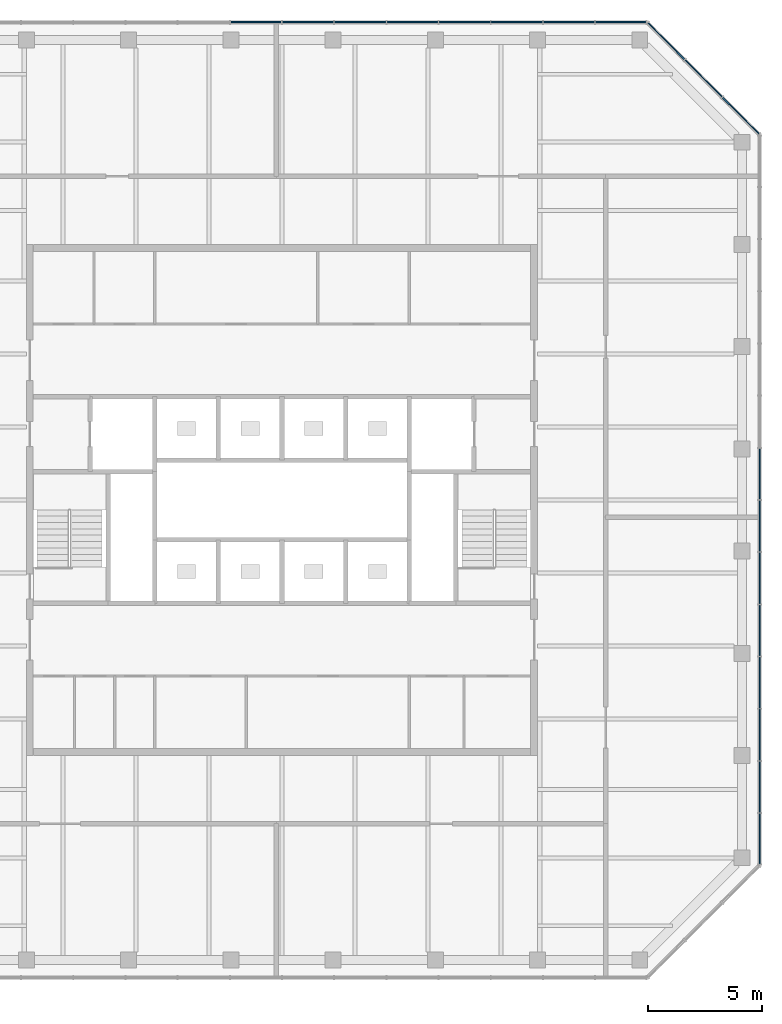
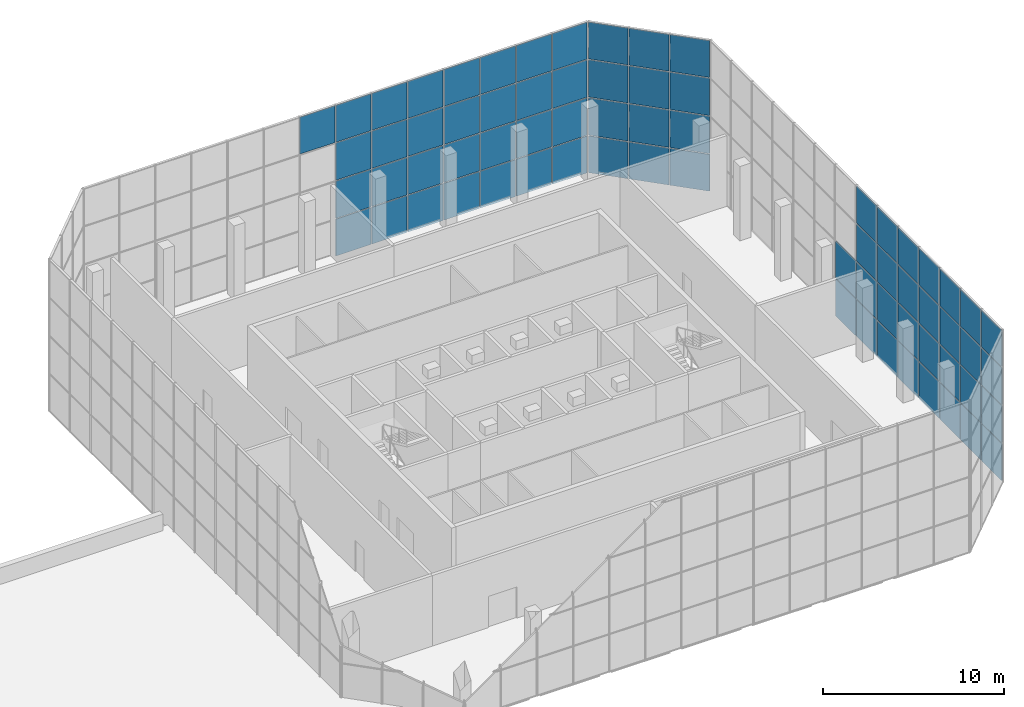
# One storey, part 15 of 19: 71 plates, 3 elements without a shape of their own.
"""IFC4 building model written with IfcOpenShell, lengths in metres."""

from ifc_helpers import new_model, si_unit, direction, frame, origin, origin_2d, place, context, subcontext, project, spatial, rectangle, extrude, material, layer, layer_set, constituent, constituent_set, type_object, element, aggregate, save


model = new_model("IFC4")

# Units and contexts
model_context = context("Model", 3, precision=1e-05, world=origin(), true_north=direction((0.0, 1.0)))
body_context = subcontext(model_context, "Body", "Model", "MODEL_VIEW")
ifc_project = project(units=[si_unit("LENGTHUNIT", "METRE"), si_unit("AREAUNIT", "SQUARE_METRE"), si_unit("VOLUMEUNIT", "CUBIC_METRE"), si_unit("PLANEANGLEUNIT", "RADIAN"), si_unit("MASSUNIT", "GRAM", prefix="KILO")], contexts=[model_context])

# Site, building, storey
site_placement = place(None, origin())
site = spatial("IfcSite", under=ifc_project, at=site_placement, CompositionType="ELEMENT")
building_placement = place(site_placement, origin())
building = spatial("IfcBuilding", under=site, at=building_placement, Name="Quoin Convention Tower", CompositionType="ELEMENT")
storey_placement = place(building_placement, frame((0.0, 0.0, 263.699951171875)))
storey = spatial("IfcBuildingStorey", under=building, at=storey_placement, Name="L69", CompositionType="ELEMENT", Elevation=263.699951171875)

# Curtain wall, plates
ifc_material_1 = material(Name="Aluminium", Category="aluminium")
ifc_constituent_1 = constituent(ifc_material_1, Name="Frame")
ifc_material_2 = material(Name="Insulated glass", Category="glass")
ifc_constituent_2 = constituent(ifc_material_2, Name="Glazing")
ifc_constituent_set = constituent_set(constituents=[ifc_constituent_1, ifc_constituent_2], Name="Aluminium")
curtain_wall_type = type_object("IfcCurtainWallType", Name="Lantern wall system", PredefinedType="NOTDEFINED", material=ifc_constituent_set)
curtain_wall_1_placement = place(storey_placement, origin())
curtain_wall_1 = element("IfcCurtainWall", 1, at=curtain_wall_1_placement, inside=storey, type_object=curtain_wall_type, Name="crn-LNW-76500_45000", PredefinedType="NOTDEFINED")
ifc_layer = layer(ifc_material_2, 0.048095703125)
ifc_layer_set = layer_set([ifc_layer], Name="Insulated glass")
plate_type = type_object("IfcPlateType", Name="Lantern wall glazing unit 48", PredefinedType="CURTAIN_PANEL", material=ifc_layer_set)
plate_1_placement = place(storey_placement, frame((77.2900390625, 45.836181640625, -0.18994140625), z_axis=(0.0, 0.0, 1.0), x_axis=(0.0, 1.0, 0.0)))
plate_1 = element("IfcPlate", 2, at=plate_1_placement, type_object=plate_type, Name="CW5 panel 1.1", PredefinedType="CURTAIN_PANEL", context=body_context, shape_type="SweptSolid", body=[
    extrude(rectangle(XDim=2.206787109375, YDim=0.048095703125, at=origin_2d()), origin(), (0.0, 0.0, 1.0), 2.472412109375),
])
plate_2_placement = place(storey_placement, frame((77.2900390625, 45.836181640625, 2.342529296875), z_axis=(0.0, 0.0, 1.0), x_axis=(0.0, 1.0, 0.0)))
plate_2 = element("IfcPlate", 3, at=plate_2_placement, type_object=plate_type, Name="CW5 panel 1.2", PredefinedType="CURTAIN_PANEL", context=body_context, shape_type="SweptSolid", body=[
    extrude(rectangle(XDim=2.206787109375, YDim=0.048095703125, at=origin_2d()), origin(), (0.0, 0.0, 1.0), 2.50244140625),
])
plate_3_placement = place(storey_placement, frame((77.2900390625, 45.836181640625, 4.905029296875), z_axis=(0.0, 0.0, 1.0), x_axis=(0.0, 1.0, 0.0)))
plate_3 = element("IfcPlate", 4, at=plate_3_placement, type_object=plate_type, Name="CW5 panel 1.3", PredefinedType="CURTAIN_PANEL", context=body_context, shape_type="SweptSolid", body=[
    extrude(rectangle(XDim=2.206787109375, YDim=0.048095703125, at=origin_2d()), origin(), (0.0, 0.0, 1.0), 2.50244140625),
])
plate_4_placement = place(storey_placement, frame((77.2900390625, 45.836181640625, 7.4677734375), z_axis=(0.0, 0.0, 1.0), x_axis=(0.0, 1.0, 0.0)))
plate_4 = element("IfcPlate", 5, at=plate_4_placement, type_object=plate_type, Name="CW5 panel 1.4", PredefinedType="CURTAIN_PANEL", context=body_context, shape_type="SweptSolid", body=[
    extrude(rectangle(XDim=2.206787109375, YDim=0.048095703125, at=origin_2d()), origin(), (0.0, 0.0, 1.0), 2.472412109375),
])
plate_5_placement = place(storey_placement, frame((77.2900390625, 48.117919921875, -0.18994140625), z_axis=(0.0, 0.0, 1.0), x_axis=(0.0, 1.0, 0.0)))
plate_5 = element("IfcPlate", 6, at=plate_5_placement, type_object=plate_type, Name="CW5 panel 2.1", PredefinedType="CURTAIN_PANEL", context=body_context, shape_type="SweptSolid", body=[
    extrude(rectangle(XDim=2.23681640625, YDim=0.048095703125, at=origin_2d()), origin(), (0.0, 0.0, 1.0), 2.472412109375),
])
plate_6_placement = place(storey_placement, frame((77.2900390625, 48.117919921875, 2.342529296875), z_axis=(0.0, 0.0, 1.0), x_axis=(0.0, 1.0, 0.0)))
plate_6 = element("IfcPlate", 7, at=plate_6_placement, type_object=plate_type, Name="CW5 panel 2.2", PredefinedType="CURTAIN_PANEL", context=body_context, shape_type="SweptSolid", body=[
    extrude(rectangle(XDim=2.23681640625, YDim=0.048095703125, at=origin_2d()), origin(), (0.0, 0.0, 1.0), 2.50244140625),
])
plate_7_placement = place(storey_placement, frame((77.2900390625, 48.117919921875, 4.905029296875), z_axis=(0.0, 0.0, 1.0), x_axis=(0.0, 1.0, 0.0)))
plate_7 = element("IfcPlate", 8, at=plate_7_placement, type_object=plate_type, Name="CW5 panel 2.3", PredefinedType="CURTAIN_PANEL", context=body_context, shape_type="SweptSolid", body=[
    extrude(rectangle(XDim=2.23681640625, YDim=0.048095703125, at=origin_2d()), origin(), (0.0, 0.0, 1.0), 2.50244140625),
])
plate_8_placement = place(storey_placement, frame((77.2900390625, 48.117919921875, 7.4677734375), z_axis=(0.0, 0.0, 1.0), x_axis=(0.0, 1.0, 0.0)))
plate_8 = element("IfcPlate", 9, at=plate_8_placement, type_object=plate_type, Name="CW5 panel 2.4", PredefinedType="CURTAIN_PANEL", context=body_context, shape_type="SweptSolid", body=[
    extrude(rectangle(XDim=2.23681640625, YDim=0.048095703125, at=origin_2d()), origin(), (0.0, 0.0, 1.0), 2.472412109375),
])
plate_9_placement = place(storey_placement, frame((77.2900390625, 50.41455078125, -0.18994140625), z_axis=(0.0, 0.0, 1.0), x_axis=(0.0, 1.0, 0.0)))
plate_9 = element("IfcPlate", 10, at=plate_9_placement, type_object=plate_type, Name="CW5 panel 3.1", PredefinedType="CURTAIN_PANEL", context=body_context, shape_type="SweptSolid", body=[
    extrude(rectangle(XDim=2.23681640625, YDim=0.048095703125, at=origin_2d()), origin(), (0.0, 0.0, 1.0), 2.472412109375),
])
plate_10_placement = place(storey_placement, frame((77.2900390625, 50.41455078125, 2.342529296875), z_axis=(0.0, 0.0, 1.0), x_axis=(0.0, 1.0, 0.0)))
plate_10 = element("IfcPlate", 11, at=plate_10_placement, type_object=plate_type, Name="CW5 panel 3.2", PredefinedType="CURTAIN_PANEL", context=body_context, shape_type="SweptSolid", body=[
    extrude(rectangle(XDim=2.23681640625, YDim=0.048095703125, at=origin_2d()), origin(), (0.0, 0.0, 1.0), 2.50244140625),
])
plate_11_placement = place(storey_placement, frame((77.2900390625, 50.41455078125, 4.905029296875), z_axis=(0.0, 0.0, 1.0), x_axis=(0.0, 1.0, 0.0)))
plate_11 = element("IfcPlate", 12, at=plate_11_placement, type_object=plate_type, Name="CW5 panel 3.3", PredefinedType="CURTAIN_PANEL", context=body_context, shape_type="SweptSolid", body=[
    extrude(rectangle(XDim=2.23681640625, YDim=0.048095703125, at=origin_2d()), origin(), (0.0, 0.0, 1.0), 2.50244140625),
])
plate_12_placement = place(storey_placement, frame((77.2900390625, 50.41455078125, 7.4677734375), z_axis=(0.0, 0.0, 1.0), x_axis=(0.0, 1.0, 0.0)))
plate_12 = element("IfcPlate", 13, at=plate_12_placement, type_object=plate_type, Name="CW5 panel 3.4", PredefinedType="CURTAIN_PANEL", context=body_context, shape_type="SweptSolid", body=[
    extrude(rectangle(XDim=2.23681640625, YDim=0.048095703125, at=origin_2d()), origin(), (0.0, 0.0, 1.0), 2.472412109375),
])
plate_13_placement = place(storey_placement, frame((77.2900390625, 52.71142578125, -0.18994140625), z_axis=(0.0, 0.0, 1.0), x_axis=(0.0, 1.0, 0.0)))
plate_13 = element("IfcPlate", 14, at=plate_13_placement, type_object=plate_type, Name="CW5 panel 4.1", PredefinedType="CURTAIN_PANEL", context=body_context, shape_type="SweptSolid", body=[
    extrude(rectangle(XDim=2.23681640625, YDim=0.048095703125, at=origin_2d()), origin(), (0.0, 0.0, 1.0), 2.472412109375),
])
plate_14_placement = place(storey_placement, frame((77.2900390625, 52.71142578125, 2.342529296875), z_axis=(0.0, 0.0, 1.0), x_axis=(0.0, 1.0, 0.0)))
plate_14 = element("IfcPlate", 15, at=plate_14_placement, type_object=plate_type, Name="CW5 panel 4.2", PredefinedType="CURTAIN_PANEL", context=body_context, shape_type="SweptSolid", body=[
    extrude(rectangle(XDim=2.23681640625, YDim=0.048095703125, at=origin_2d()), origin(), (0.0, 0.0, 1.0), 2.50244140625),
])
plate_15_placement = place(storey_placement, frame((77.2900390625, 52.71142578125, 4.905029296875), z_axis=(0.0, 0.0, 1.0), x_axis=(0.0, 1.0, 0.0)))
plate_15 = element("IfcPlate", 16, at=plate_15_placement, type_object=plate_type, Name="CW5 panel 4.3", PredefinedType="CURTAIN_PANEL", context=body_context, shape_type="SweptSolid", body=[
    extrude(rectangle(XDim=2.23681640625, YDim=0.048095703125, at=origin_2d()), origin(), (0.0, 0.0, 1.0), 2.50244140625),
])
plate_16_placement = place(storey_placement, frame((77.2900390625, 52.71142578125, 7.4677734375), z_axis=(0.0, 0.0, 1.0), x_axis=(0.0, 1.0, 0.0)))
plate_16 = element("IfcPlate", 17, at=plate_16_placement, type_object=plate_type, Name="CW5 panel 4.4", PredefinedType="CURTAIN_PANEL", context=body_context, shape_type="SweptSolid", body=[
    extrude(rectangle(XDim=2.23681640625, YDim=0.048095703125, at=origin_2d()), origin(), (0.0, 0.0, 1.0), 2.472412109375),
])
plate_17_placement = place(storey_placement, frame((77.2900390625, 55.008056640625, -0.18994140625), z_axis=(0.0, 0.0, 1.0), x_axis=(0.0, 1.0, 0.0)))
plate_17 = element("IfcPlate", 18, at=plate_17_placement, type_object=plate_type, Name="CW5 panel 5.1", PredefinedType="CURTAIN_PANEL", context=body_context, shape_type="SweptSolid", body=[
    extrude(rectangle(XDim=2.23681640625, YDim=0.048095703125, at=origin_2d()), origin(), (0.0, 0.0, 1.0), 2.472412109375),
])
plate_18_placement = place(storey_placement, frame((77.2900390625, 55.008056640625, 2.342529296875), z_axis=(0.0, 0.0, 1.0), x_axis=(0.0, 1.0, 0.0)))
plate_18 = element("IfcPlate", 19, at=plate_18_placement, type_object=plate_type, Name="CW5 panel 5.2", PredefinedType="CURTAIN_PANEL", context=body_context, shape_type="SweptSolid", body=[
    extrude(rectangle(XDim=2.23681640625, YDim=0.048095703125, at=origin_2d()), origin(), (0.0, 0.0, 1.0), 2.50244140625),
])
plate_19_placement = place(storey_placement, frame((77.2900390625, 55.008056640625, 4.905029296875), z_axis=(0.0, 0.0, 1.0), x_axis=(0.0, 1.0, 0.0)))
plate_19 = element("IfcPlate", 20, at=plate_19_placement, type_object=plate_type, Name="CW5 panel 5.3", PredefinedType="CURTAIN_PANEL", context=body_context, shape_type="SweptSolid", body=[
    extrude(rectangle(XDim=2.23681640625, YDim=0.048095703125, at=origin_2d()), origin(), (0.0, 0.0, 1.0), 2.50244140625),
])
plate_20_placement = place(storey_placement, frame((77.2900390625, 55.008056640625, 7.4677734375), z_axis=(0.0, 0.0, 1.0), x_axis=(0.0, 1.0, 0.0)))
plate_20 = element("IfcPlate", 21, at=plate_20_placement, type_object=plate_type, Name="CW5 panel 5.4", PredefinedType="CURTAIN_PANEL", context=body_context, shape_type="SweptSolid", body=[
    extrude(rectangle(XDim=2.23681640625, YDim=0.048095703125, at=origin_2d()), origin(), (0.0, 0.0, 1.0), 2.472412109375),
])
plate_21_placement = place(storey_placement, frame((77.2900390625, 57.304931640625, -0.18994140625), z_axis=(0.0, 0.0, 1.0), x_axis=(0.0, 1.0, 0.0)))
plate_21 = element("IfcPlate", 22, at=plate_21_placement, type_object=plate_type, Name="CW5 panel 6.1", PredefinedType="CURTAIN_PANEL", context=body_context, shape_type="SweptSolid", body=[
    extrude(rectangle(XDim=2.23681640625, YDim=0.048095703125, at=origin_2d()), origin(), (0.0, 0.0, 1.0), 2.472412109375),
])
plate_22_placement = place(storey_placement, frame((77.2900390625, 57.304931640625, 2.342529296875), z_axis=(0.0, 0.0, 1.0), x_axis=(0.0, 1.0, 0.0)))
plate_22 = element("IfcPlate", 23, at=plate_22_placement, type_object=plate_type, Name="CW5 panel 6.2", PredefinedType="CURTAIN_PANEL", context=body_context, shape_type="SweptSolid", body=[
    extrude(rectangle(XDim=2.23681640625, YDim=0.048095703125, at=origin_2d()), origin(), (0.0, 0.0, 1.0), 2.50244140625),
])
plate_23_placement = place(storey_placement, frame((77.2900390625, 57.304931640625, 4.905029296875), z_axis=(0.0, 0.0, 1.0), x_axis=(0.0, 1.0, 0.0)))
plate_23 = element("IfcPlate", 24, at=plate_23_placement, type_object=plate_type, Name="CW5 panel 6.3", PredefinedType="CURTAIN_PANEL", context=body_context, shape_type="SweptSolid", body=[
    extrude(rectangle(XDim=2.23681640625, YDim=0.048095703125, at=origin_2d()), origin(), (0.0, 0.0, 1.0), 2.50244140625),
])
plate_24_placement = place(storey_placement, frame((77.2900390625, 57.304931640625, 7.4677734375), z_axis=(0.0, 0.0, 1.0), x_axis=(0.0, 1.0, 0.0)))
plate_24 = element("IfcPlate", 25, at=plate_24_placement, type_object=plate_type, Name="CW5 panel 6.4", PredefinedType="CURTAIN_PANEL", context=body_context, shape_type="SweptSolid", body=[
    extrude(rectangle(XDim=2.23681640625, YDim=0.048095703125, at=origin_2d()), origin(), (0.0, 0.0, 1.0), 2.472412109375),
])
plate_25_placement = place(storey_placement, frame((77.2900390625, 59.6015625, -0.18994140625), z_axis=(0.0, 0.0, 1.0), x_axis=(0.0, 1.0, 0.0)))
plate_25 = element("IfcPlate", 26, at=plate_25_placement, type_object=plate_type, Name="CW5 panel 7.1", PredefinedType="CURTAIN_PANEL", context=body_context, shape_type="SweptSolid", body=[
    extrude(rectangle(XDim=2.23681640625, YDim=0.048095703125, at=origin_2d()), origin(), (0.0, 0.0, 1.0), 2.472412109375),
])
plate_26_placement = place(storey_placement, frame((77.2900390625, 59.6015625, 2.342529296875), z_axis=(0.0, 0.0, 1.0), x_axis=(0.0, 1.0, 0.0)))
plate_26 = element("IfcPlate", 27, at=plate_26_placement, type_object=plate_type, Name="CW5 panel 7.2", PredefinedType="CURTAIN_PANEL", context=body_context, shape_type="SweptSolid", body=[
    extrude(rectangle(XDim=2.23681640625, YDim=0.048095703125, at=origin_2d()), origin(), (0.0, 0.0, 1.0), 2.50244140625),
])
plate_27_placement = place(storey_placement, frame((77.2900390625, 59.6015625, 4.905029296875), z_axis=(0.0, 0.0, 1.0), x_axis=(0.0, 1.0, 0.0)))
plate_27 = element("IfcPlate", 28, at=plate_27_placement, type_object=plate_type, Name="CW5 panel 7.3", PredefinedType="CURTAIN_PANEL", context=body_context, shape_type="SweptSolid", body=[
    extrude(rectangle(XDim=2.23681640625, YDim=0.048095703125, at=origin_2d()), origin(), (0.0, 0.0, 1.0), 2.50244140625),
])
plate_28_placement = place(storey_placement, frame((77.2900390625, 59.6015625, 7.4677734375), z_axis=(0.0, 0.0, 1.0), x_axis=(0.0, 1.0, 0.0)))
plate_28 = element("IfcPlate", 29, at=plate_28_placement, type_object=plate_type, Name="CW5 panel 7.4", PredefinedType="CURTAIN_PANEL", context=body_context, shape_type="SweptSolid", body=[
    extrude(rectangle(XDim=2.23681640625, YDim=0.048095703125, at=origin_2d()), origin(), (0.0, 0.0, 1.0), 2.472412109375),
])
plate_29_placement = place(storey_placement, frame((77.2900390625, 61.8984375, -0.18994140625), z_axis=(0.0, 0.0, 1.0), x_axis=(0.0, 1.0, 0.0)))
plate_29 = element("IfcPlate", 30, at=plate_29_placement, type_object=plate_type, Name="CW5 panel 8.1", PredefinedType="CURTAIN_PANEL", context=body_context, shape_type="SweptSolid", body=[
    extrude(rectangle(XDim=2.23681640625, YDim=0.048095703125, at=origin_2d()), origin(), (0.0, 0.0, 1.0), 2.472412109375),
])
plate_30_placement = place(storey_placement, frame((77.2900390625, 61.8984375, 2.342529296875), z_axis=(0.0, 0.0, 1.0), x_axis=(0.0, 1.0, 0.0)))
plate_30 = element("IfcPlate", 31, at=plate_30_placement, type_object=plate_type, Name="CW5 panel 8.2", PredefinedType="CURTAIN_PANEL", context=body_context, shape_type="SweptSolid", body=[
    extrude(rectangle(XDim=2.23681640625, YDim=0.048095703125, at=origin_2d()), origin(), (0.0, 0.0, 1.0), 2.50244140625),
])
aggregate(curtain_wall_1, [plate_1, plate_2, plate_3, plate_4, plate_5, plate_6, plate_7, plate_8, plate_9, plate_10, plate_11, plate_12, plate_13, plate_14, plate_15, plate_16, plate_17, plate_18, plate_19, plate_20, plate_21, plate_22, plate_23, plate_24, plate_25, plate_26, plate_27, plate_28, plate_29, plate_30])

curtain_wall_2_placement = place(storey_placement, origin())
curtain_wall_2 = element("IfcCurtainWall", 32, at=curtain_wall_2_placement, inside=storey, type_object=curtain_wall_type, Name="crn-LNW-76500_76500", PredefinedType="NOTDEFINED")
plate_31_placement = place(storey_placement, frame((76.4521484375, 77.6650390625, -0.18994140625), z_axis=(0.0, 0.0, 1.0), x_axis=(-0.707106781187, 0.707106781187, 0.0)))
plate_31 = element("IfcPlate", 33, at=plate_31_placement, type_object=plate_type, Name="CW5 panel 1.1", PredefinedType="CURTAIN_PANEL", context=body_context, shape_type="SweptSolid", body=[
    extrude(rectangle(XDim=2.24951171875, YDim=0.048095703125, at=origin_2d()), origin(), (0.0, 0.0, 1.0), 2.472412109375),
])
plate_32_placement = place(storey_placement, frame((76.4521484375, 77.6650390625, 2.342529296875), z_axis=(0.0, 0.0, 1.0), x_axis=(-0.707106781187, 0.707106781187, 0.0)))
plate_32 = element("IfcPlate", 34, at=plate_32_placement, type_object=plate_type, Name="CW5 panel 1.2", PredefinedType="CURTAIN_PANEL", context=body_context, shape_type="SweptSolid", body=[
    extrude(rectangle(XDim=2.24951171875, YDim=0.048095703125, at=origin_2d()), origin(), (0.0, 0.0, 1.0), 2.50244140625),
])
plate_33_placement = place(storey_placement, frame((76.4521484375, 77.6650390625, 4.905029296875), z_axis=(0.0, 0.0, 1.0), x_axis=(-0.707106781187, 0.707106781187, 0.0)))
plate_33 = element("IfcPlate", 35, at=plate_33_placement, type_object=plate_type, Name="CW5 panel 1.3", PredefinedType="CURTAIN_PANEL", context=body_context, shape_type="SweptSolid", body=[
    extrude(rectangle(XDim=2.24951171875, YDim=0.048095703125, at=origin_2d()), origin(), (0.0, 0.0, 1.0), 2.50244140625),
])
plate_34_placement = place(storey_placement, frame((76.4521484375, 77.6650390625, 7.4677734375), z_axis=(0.0, 0.0, 1.0), x_axis=(-0.707106781187, 0.707106781187, 0.0)))
plate_34 = element("IfcPlate", 36, at=plate_34_placement, type_object=plate_type, Name="CW5 panel 1.4", PredefinedType="CURTAIN_PANEL", context=body_context, shape_type="SweptSolid", body=[
    extrude(rectangle(XDim=2.24951171875, YDim=0.048095703125, at=origin_2d()), origin(), (0.0, 0.0, 1.0), 2.472412109375),
])
plate_35_placement = place(storey_placement, frame((74.80859375, 79.30859375, -0.18994140625), z_axis=(0.0, 0.0, 1.0), x_axis=(-0.707106781187, 0.707106781187, 0.0)))
plate_35 = element("IfcPlate", 37, at=plate_35_placement, type_object=plate_type, Name="CW5 panel 2.1", PredefinedType="CURTAIN_PANEL", context=body_context, shape_type="SweptSolid", body=[
    extrude(rectangle(XDim=2.279541015625, YDim=0.048095703125, at=origin_2d()), origin(), (0.0, 0.0, 1.0), 2.472412109375),
])
plate_36_placement = place(storey_placement, frame((74.80859375, 79.30859375, 2.342529296875), z_axis=(0.0, 0.0, 1.0), x_axis=(-0.707106781187, 0.707106781187, 0.0)))
plate_36 = element("IfcPlate", 38, at=plate_36_placement, type_object=plate_type, Name="CW5 panel 2.2", PredefinedType="CURTAIN_PANEL", context=body_context, shape_type="SweptSolid", body=[
    extrude(rectangle(XDim=2.279541015625, YDim=0.048095703125, at=origin_2d()), origin(), (0.0, 0.0, 1.0), 2.50244140625),
])
plate_37_placement = place(storey_placement, frame((74.80859375, 79.30859375, 4.905029296875), z_axis=(0.0, 0.0, 1.0), x_axis=(-0.707106781187, 0.707106781187, 0.0)))
plate_37 = element("IfcPlate", 39, at=plate_37_placement, type_object=plate_type, Name="CW5 panel 2.3", PredefinedType="CURTAIN_PANEL", context=body_context, shape_type="SweptSolid", body=[
    extrude(rectangle(XDim=2.279541015625, YDim=0.048095703125, at=origin_2d()), origin(), (0.0, 0.0, 1.0), 2.50244140625),
])
plate_38_placement = place(storey_placement, frame((74.80859375, 79.30859375, 7.4677734375), z_axis=(0.0, 0.0, 1.0), x_axis=(-0.707106781187, 0.707106781187, 0.0)))
plate_38 = element("IfcPlate", 40, at=plate_38_placement, type_object=plate_type, Name="CW5 panel 2.4", PredefinedType="CURTAIN_PANEL", context=body_context, shape_type="SweptSolid", body=[
    extrude(rectangle(XDim=2.279541015625, YDim=0.048095703125, at=origin_2d()), origin(), (0.0, 0.0, 1.0), 2.472412109375),
])
plate_39_placement = place(storey_placement, frame((73.1650390625, 80.9521484375, -0.18994140625), z_axis=(0.0, 0.0, 1.0), x_axis=(-0.707106781187, 0.707106781187, 0.0)))
plate_39 = element("IfcPlate", 41, at=plate_39_placement, type_object=plate_type, Name="CW5 panel 3.1", PredefinedType="CURTAIN_PANEL", context=body_context, shape_type="SweptSolid", body=[
    extrude(rectangle(XDim=2.24951171875, YDim=0.048095703125, at=origin_2d()), origin(), (0.0, 0.0, 1.0), 2.472412109375),
])
plate_40_placement = place(storey_placement, frame((73.1650390625, 80.9521484375, 2.342529296875), z_axis=(0.0, 0.0, 1.0), x_axis=(-0.707106781187, 0.707106781187, 0.0)))
plate_40 = element("IfcPlate", 42, at=plate_40_placement, type_object=plate_type, Name="CW5 panel 3.2", PredefinedType="CURTAIN_PANEL", context=body_context, shape_type="SweptSolid", body=[
    extrude(rectangle(XDim=2.24951171875, YDim=0.048095703125, at=origin_2d()), origin(), (0.0, 0.0, 1.0), 2.50244140625),
])
plate_41_placement = place(storey_placement, frame((73.1650390625, 80.9521484375, 4.905029296875), z_axis=(0.0, 0.0, 1.0), x_axis=(-0.707106781187, 0.707106781187, 0.0)))
plate_41 = element("IfcPlate", 43, at=plate_41_placement, type_object=plate_type, Name="CW5 panel 3.3", PredefinedType="CURTAIN_PANEL", context=body_context, shape_type="SweptSolid", body=[
    extrude(rectangle(XDim=2.24951171875, YDim=0.048095703125, at=origin_2d()), origin(), (0.0, 0.0, 1.0), 2.50244140625),
])
plate_42_placement = place(storey_placement, frame((73.1650390625, 80.9521484375, 7.4677734375), z_axis=(0.0, 0.0, 1.0), x_axis=(-0.707106781187, 0.707106781187, 0.0)))
plate_42 = element("IfcPlate", 44, at=plate_42_placement, type_object=plate_type, Name="CW5 panel 3.4", PredefinedType="CURTAIN_PANEL", context=body_context, shape_type="SweptSolid", body=[
    extrude(rectangle(XDim=2.24951171875, YDim=0.048095703125, at=origin_2d()), origin(), (0.0, 0.0, 1.0), 2.472412109375),
])
aggregate(curtain_wall_2, [plate_31, plate_32, plate_33, plate_34, plate_35, plate_36, plate_37, plate_38, plate_39, plate_40, plate_41, plate_42])

curtain_wall_3_placement = place(storey_placement, origin())
curtain_wall_3 = element("IfcCurtainWall", 45, at=curtain_wall_3_placement, inside=storey, type_object=curtain_wall_type, Name="crn-LNW-72000_81000", PredefinedType="NOTDEFINED")
plate_43_placement = place(storey_placement, frame((71.163818359375, 81.7900390625, -0.18994140625), z_axis=(0.0, 0.0, 1.0), x_axis=(-1.0, 0.0, 0.0)))
plate_43 = element("IfcPlate", 46, at=plate_43_placement, type_object=plate_type, Name="CW5 panel 1.1", PredefinedType="CURTAIN_PANEL", context=body_context, shape_type="SweptSolid", body=[
    extrude(rectangle(XDim=2.206787109375, YDim=0.048095703125, at=origin_2d()), origin(), (0.0, 0.0, 1.0), 2.472412109375),
])
plate_44_placement = place(storey_placement, frame((71.163818359375, 81.7900390625, 2.342529296875), z_axis=(0.0, 0.0, 1.0), x_axis=(-1.0, 0.0, 0.0)))
plate_44 = element("IfcPlate", 47, at=plate_44_placement, type_object=plate_type, Name="CW5 panel 1.2", PredefinedType="CURTAIN_PANEL", context=body_context, shape_type="SweptSolid", body=[
    extrude(rectangle(XDim=2.206787109375, YDim=0.048095703125, at=origin_2d()), origin(), (0.0, 0.0, 1.0), 2.50244140625),
])
plate_45_placement = place(storey_placement, frame((71.163818359375, 81.7900390625, 4.905029296875), z_axis=(0.0, 0.0, 1.0), x_axis=(-1.0, 0.0, 0.0)))
plate_45 = element("IfcPlate", 48, at=plate_45_placement, type_object=plate_type, Name="CW5 panel 1.3", PredefinedType="CURTAIN_PANEL", context=body_context, shape_type="SweptSolid", body=[
    extrude(rectangle(XDim=2.206787109375, YDim=0.048095703125, at=origin_2d()), origin(), (0.0, 0.0, 1.0), 2.50244140625),
])
plate_46_placement = place(storey_placement, frame((71.163818359375, 81.7900390625, 7.4677734375), z_axis=(0.0, 0.0, 1.0), x_axis=(-1.0, 0.0, 0.0)))
plate_46 = element("IfcPlate", 49, at=plate_46_placement, type_object=plate_type, Name="CW5 panel 1.4", PredefinedType="CURTAIN_PANEL", context=body_context, shape_type="SweptSolid", body=[
    extrude(rectangle(XDim=2.206787109375, YDim=0.048095703125, at=origin_2d()), origin(), (0.0, 0.0, 1.0), 2.472412109375),
])
plate_47_placement = place(storey_placement, frame((68.882080078125, 81.7900390625, -0.18994140625), z_axis=(0.0, 0.0, 1.0), x_axis=(-1.0, 0.0, 0.0)))
plate_47 = element("IfcPlate", 50, at=plate_47_placement, type_object=plate_type, Name="CW5 panel 2.1", PredefinedType="CURTAIN_PANEL", context=body_context, shape_type="SweptSolid", body=[
    extrude(rectangle(XDim=2.23681640625, YDim=0.048095703125, at=origin_2d()), origin(), (0.0, 0.0, 1.0), 2.472412109375),
])
plate_48_placement = place(storey_placement, frame((68.882080078125, 81.7900390625, 2.342529296875), z_axis=(0.0, 0.0, 1.0), x_axis=(-1.0, 0.0, 0.0)))
plate_48 = element("IfcPlate", 51, at=plate_48_placement, type_object=plate_type, Name="CW5 panel 2.2", PredefinedType="CURTAIN_PANEL", context=body_context, shape_type="SweptSolid", body=[
    extrude(rectangle(XDim=2.23681640625, YDim=0.048095703125, at=origin_2d()), origin(), (0.0, 0.0, 1.0), 2.50244140625),
])
plate_49_placement = place(storey_placement, frame((68.882080078125, 81.7900390625, 4.905029296875), z_axis=(0.0, 0.0, 1.0), x_axis=(-1.0, 0.0, 0.0)))
plate_49 = element("IfcPlate", 52, at=plate_49_placement, type_object=plate_type, Name="CW5 panel 2.3", PredefinedType="CURTAIN_PANEL", context=body_context, shape_type="SweptSolid", body=[
    extrude(rectangle(XDim=2.23681640625, YDim=0.048095703125, at=origin_2d()), origin(), (0.0, 0.0, 1.0), 2.50244140625),
])
plate_50_placement = place(storey_placement, frame((68.882080078125, 81.7900390625, 7.4677734375), z_axis=(0.0, 0.0, 1.0), x_axis=(-1.0, 0.0, 0.0)))
plate_50 = element("IfcPlate", 53, at=plate_50_placement, type_object=plate_type, Name="CW5 panel 2.4", PredefinedType="CURTAIN_PANEL", context=body_context, shape_type="SweptSolid", body=[
    extrude(rectangle(XDim=2.23681640625, YDim=0.048095703125, at=origin_2d()), origin(), (0.0, 0.0, 1.0), 2.472412109375),
])
plate_51_placement = place(storey_placement, frame((66.58544921875, 81.7900390625, -0.18994140625), z_axis=(0.0, 0.0, 1.0), x_axis=(-1.0, 0.0, 0.0)))
plate_51 = element("IfcPlate", 54, at=plate_51_placement, type_object=plate_type, Name="CW5 panel 3.1", PredefinedType="CURTAIN_PANEL", context=body_context, shape_type="SweptSolid", body=[
    extrude(rectangle(XDim=2.23681640625, YDim=0.048095703125, at=origin_2d()), origin(), (0.0, 0.0, 1.0), 2.472412109375),
])
plate_52_placement = place(storey_placement, frame((66.58544921875, 81.7900390625, 2.342529296875), z_axis=(0.0, 0.0, 1.0), x_axis=(-1.0, 0.0, 0.0)))
plate_52 = element("IfcPlate", 55, at=plate_52_placement, type_object=plate_type, Name="CW5 panel 3.2", PredefinedType="CURTAIN_PANEL", context=body_context, shape_type="SweptSolid", body=[
    extrude(rectangle(XDim=2.23681640625, YDim=0.048095703125, at=origin_2d()), origin(), (0.0, 0.0, 1.0), 2.50244140625),
])
plate_53_placement = place(storey_placement, frame((66.58544921875, 81.7900390625, 4.905029296875), z_axis=(0.0, 0.0, 1.0), x_axis=(-1.0, 0.0, 0.0)))
plate_53 = element("IfcPlate", 56, at=plate_53_placement, type_object=plate_type, Name="CW5 panel 3.3", PredefinedType="CURTAIN_PANEL", context=body_context, shape_type="SweptSolid", body=[
    extrude(rectangle(XDim=2.23681640625, YDim=0.048095703125, at=origin_2d()), origin(), (0.0, 0.0, 1.0), 2.50244140625),
])
plate_54_placement = place(storey_placement, frame((66.58544921875, 81.7900390625, 7.4677734375), z_axis=(0.0, 0.0, 1.0), x_axis=(-1.0, 0.0, 0.0)))
plate_54 = element("IfcPlate", 57, at=plate_54_placement, type_object=plate_type, Name="CW5 panel 3.4", PredefinedType="CURTAIN_PANEL", context=body_context, shape_type="SweptSolid", body=[
    extrude(rectangle(XDim=2.23681640625, YDim=0.048095703125, at=origin_2d()), origin(), (0.0, 0.0, 1.0), 2.472412109375),
])
plate_55_placement = place(storey_placement, frame((64.28857421875, 81.7900390625, -0.18994140625), z_axis=(0.0, 0.0, 1.0), x_axis=(-1.0, 0.0, 0.0)))
plate_55 = element("IfcPlate", 58, at=plate_55_placement, type_object=plate_type, Name="CW5 panel 4.1", PredefinedType="CURTAIN_PANEL", context=body_context, shape_type="SweptSolid", body=[
    extrude(rectangle(XDim=2.23681640625, YDim=0.048095703125, at=origin_2d()), origin(), (0.0, 0.0, 1.0), 2.472412109375),
])
plate_56_placement = place(storey_placement, frame((64.28857421875, 81.7900390625, 2.342529296875), z_axis=(0.0, 0.0, 1.0), x_axis=(-1.0, 0.0, 0.0)))
plate_56 = element("IfcPlate", 59, at=plate_56_placement, type_object=plate_type, Name="CW5 panel 4.2", PredefinedType="CURTAIN_PANEL", context=body_context, shape_type="SweptSolid", body=[
    extrude(rectangle(XDim=2.23681640625, YDim=0.048095703125, at=origin_2d()), origin(), (0.0, 0.0, 1.0), 2.50244140625),
])
plate_57_placement = place(storey_placement, frame((64.28857421875, 81.7900390625, 4.905029296875), z_axis=(0.0, 0.0, 1.0), x_axis=(-1.0, 0.0, 0.0)))
plate_57 = element("IfcPlate", 60, at=plate_57_placement, type_object=plate_type, Name="CW5 panel 4.3", PredefinedType="CURTAIN_PANEL", context=body_context, shape_type="SweptSolid", body=[
    extrude(rectangle(XDim=2.23681640625, YDim=0.048095703125, at=origin_2d()), origin(), (0.0, 0.0, 1.0), 2.50244140625),
])
plate_58_placement = place(storey_placement, frame((64.28857421875, 81.7900390625, 7.4677734375), z_axis=(0.0, 0.0, 1.0), x_axis=(-1.0, 0.0, 0.0)))
plate_58 = element("IfcPlate", 61, at=plate_58_placement, type_object=plate_type, Name="CW5 panel 4.4", PredefinedType="CURTAIN_PANEL", context=body_context, shape_type="SweptSolid", body=[
    extrude(rectangle(XDim=2.23681640625, YDim=0.048095703125, at=origin_2d()), origin(), (0.0, 0.0, 1.0), 2.472412109375),
])
plate_59_placement = place(storey_placement, frame((61.991943359375, 81.7900390625, -0.18994140625), z_axis=(0.0, 0.0, 1.0), x_axis=(-1.0, 0.0, 0.0)))
plate_59 = element("IfcPlate", 62, at=plate_59_placement, type_object=plate_type, Name="CW5 panel 5.1", PredefinedType="CURTAIN_PANEL", context=body_context, shape_type="SweptSolid", body=[
    extrude(rectangle(XDim=2.23681640625, YDim=0.048095703125, at=origin_2d()), origin(), (0.0, 0.0, 1.0), 2.472412109375),
])
plate_60_placement = place(storey_placement, frame((61.991943359375, 81.7900390625, 2.342529296875), z_axis=(0.0, 0.0, 1.0), x_axis=(-1.0, 0.0, 0.0)))
plate_60 = element("IfcPlate", 63, at=plate_60_placement, type_object=plate_type, Name="CW5 panel 5.2", PredefinedType="CURTAIN_PANEL", context=body_context, shape_type="SweptSolid", body=[
    extrude(rectangle(XDim=2.23681640625, YDim=0.048095703125, at=origin_2d()), origin(), (0.0, 0.0, 1.0), 2.50244140625),
])
plate_61_placement = place(storey_placement, frame((61.991943359375, 81.7900390625, 4.905029296875), z_axis=(0.0, 0.0, 1.0), x_axis=(-1.0, 0.0, 0.0)))
plate_61 = element("IfcPlate", 64, at=plate_61_placement, type_object=plate_type, Name="CW5 panel 5.3", PredefinedType="CURTAIN_PANEL", context=body_context, shape_type="SweptSolid", body=[
    extrude(rectangle(XDim=2.23681640625, YDim=0.048095703125, at=origin_2d()), origin(), (0.0, 0.0, 1.0), 2.50244140625),
])
plate_62_placement = place(storey_placement, frame((61.991943359375, 81.7900390625, 7.4677734375), z_axis=(0.0, 0.0, 1.0), x_axis=(-1.0, 0.0, 0.0)))
plate_62 = element("IfcPlate", 65, at=plate_62_placement, type_object=plate_type, Name="CW5 panel 5.4", PredefinedType="CURTAIN_PANEL", context=body_context, shape_type="SweptSolid", body=[
    extrude(rectangle(XDim=2.23681640625, YDim=0.048095703125, at=origin_2d()), origin(), (0.0, 0.0, 1.0), 2.472412109375),
])
plate_63_placement = place(storey_placement, frame((59.695068359375, 81.7900390625, -0.18994140625), z_axis=(0.0, 0.0, 1.0), x_axis=(-1.0, 0.0, 0.0)))
plate_63 = element("IfcPlate", 66, at=plate_63_placement, type_object=plate_type, Name="CW5 panel 6.1", PredefinedType="CURTAIN_PANEL", context=body_context, shape_type="SweptSolid", body=[
    extrude(rectangle(XDim=2.23681640625, YDim=0.048095703125, at=origin_2d()), origin(), (0.0, 0.0, 1.0), 2.472412109375),
])
plate_64_placement = place(storey_placement, frame((59.695068359375, 81.7900390625, 2.342529296875), z_axis=(0.0, 0.0, 1.0), x_axis=(-1.0, 0.0, 0.0)))
plate_64 = element("IfcPlate", 67, at=plate_64_placement, type_object=plate_type, Name="CW5 panel 6.2", PredefinedType="CURTAIN_PANEL", context=body_context, shape_type="SweptSolid", body=[
    extrude(rectangle(XDim=2.23681640625, YDim=0.048095703125, at=origin_2d()), origin(), (0.0, 0.0, 1.0), 2.50244140625),
])
plate_65_placement = place(storey_placement, frame((59.695068359375, 81.7900390625, 4.905029296875), z_axis=(0.0, 0.0, 1.0), x_axis=(-1.0, 0.0, 0.0)))
plate_65 = element("IfcPlate", 68, at=plate_65_placement, type_object=plate_type, Name="CW5 panel 6.3", PredefinedType="CURTAIN_PANEL", context=body_context, shape_type="SweptSolid", body=[
    extrude(rectangle(XDim=2.23681640625, YDim=0.048095703125, at=origin_2d()), origin(), (0.0, 0.0, 1.0), 2.50244140625),
])
plate_66_placement = place(storey_placement, frame((59.695068359375, 81.7900390625, 7.4677734375), z_axis=(0.0, 0.0, 1.0), x_axis=(-1.0, 0.0, 0.0)))
plate_66 = element("IfcPlate", 69, at=plate_66_placement, type_object=plate_type, Name="CW5 panel 6.4", PredefinedType="CURTAIN_PANEL", context=body_context, shape_type="SweptSolid", body=[
    extrude(rectangle(XDim=2.23681640625, YDim=0.048095703125, at=origin_2d()), origin(), (0.0, 0.0, 1.0), 2.472412109375),
])
plate_67_placement = place(storey_placement, frame((57.3984375, 81.7900390625, -0.18994140625), z_axis=(0.0, 0.0, 1.0), x_axis=(-1.0, 0.0, 0.0)))
plate_67 = element("IfcPlate", 70, at=plate_67_placement, type_object=plate_type, Name="CW5 panel 7.1", PredefinedType="CURTAIN_PANEL", context=body_context, shape_type="SweptSolid", body=[
    extrude(rectangle(XDim=2.23681640625, YDim=0.048095703125, at=origin_2d()), origin(), (0.0, 0.0, 1.0), 2.472412109375),
])
plate_68_placement = place(storey_placement, frame((57.3984375, 81.7900390625, 2.342529296875), z_axis=(0.0, 0.0, 1.0), x_axis=(-1.0, 0.0, 0.0)))
plate_68 = element("IfcPlate", 71, at=plate_68_placement, type_object=plate_type, Name="CW5 panel 7.2", PredefinedType="CURTAIN_PANEL", context=body_context, shape_type="SweptSolid", body=[
    extrude(rectangle(XDim=2.23681640625, YDim=0.048095703125, at=origin_2d()), origin(), (0.0, 0.0, 1.0), 2.50244140625),
])
plate_69_placement = place(storey_placement, frame((57.3984375, 81.7900390625, 4.905029296875), z_axis=(0.0, 0.0, 1.0), x_axis=(-1.0, 0.0, 0.0)))
plate_69 = element("IfcPlate", 72, at=plate_69_placement, type_object=plate_type, Name="CW5 panel 7.3", PredefinedType="CURTAIN_PANEL", context=body_context, shape_type="SweptSolid", body=[
    extrude(rectangle(XDim=2.23681640625, YDim=0.048095703125, at=origin_2d()), origin(), (0.0, 0.0, 1.0), 2.50244140625),
])
plate_70_placement = place(storey_placement, frame((57.3984375, 81.7900390625, 7.4677734375), z_axis=(0.0, 0.0, 1.0), x_axis=(-1.0, 0.0, 0.0)))
plate_70 = element("IfcPlate", 73, at=plate_70_placement, type_object=plate_type, Name="CW5 panel 7.4", PredefinedType="CURTAIN_PANEL", context=body_context, shape_type="SweptSolid", body=[
    extrude(rectangle(XDim=2.23681640625, YDim=0.048095703125, at=origin_2d()), origin(), (0.0, 0.0, 1.0), 2.472412109375),
])
plate_71_placement = place(storey_placement, frame((55.1015625, 81.7900390625, 7.4677734375), z_axis=(0.0, 0.0, 1.0), x_axis=(-1.0, 0.0, 0.0)))
plate_71 = element("IfcPlate", 74, at=plate_71_placement, type_object=plate_type, Name="CW5 panel 8.4", PredefinedType="CURTAIN_PANEL", context=body_context, shape_type="SweptSolid", body=[
    extrude(rectangle(XDim=2.23681640625, YDim=0.048095703125, at=origin_2d()), origin(), (0.0, 0.0, 1.0), 2.472412109375),
])
aggregate(curtain_wall_3, [plate_43, plate_44, plate_45, plate_46, plate_47, plate_48, plate_49, plate_50, plate_51, plate_52, plate_53, plate_54, plate_55, plate_56, plate_57, plate_58, plate_59, plate_60, plate_61, plate_62, plate_63, plate_64, plate_65, plate_66, plate_67, plate_68, plate_69, plate_70, plate_71])

save(model, "model.ifc")
